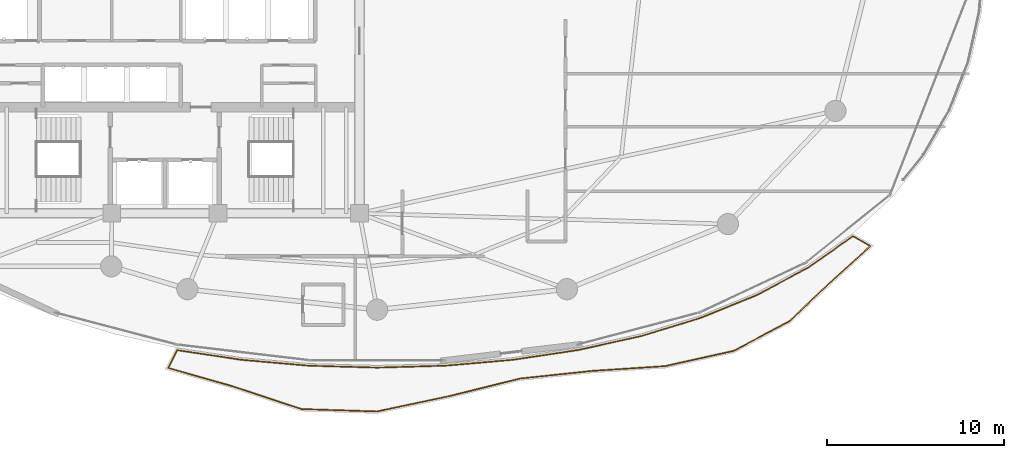
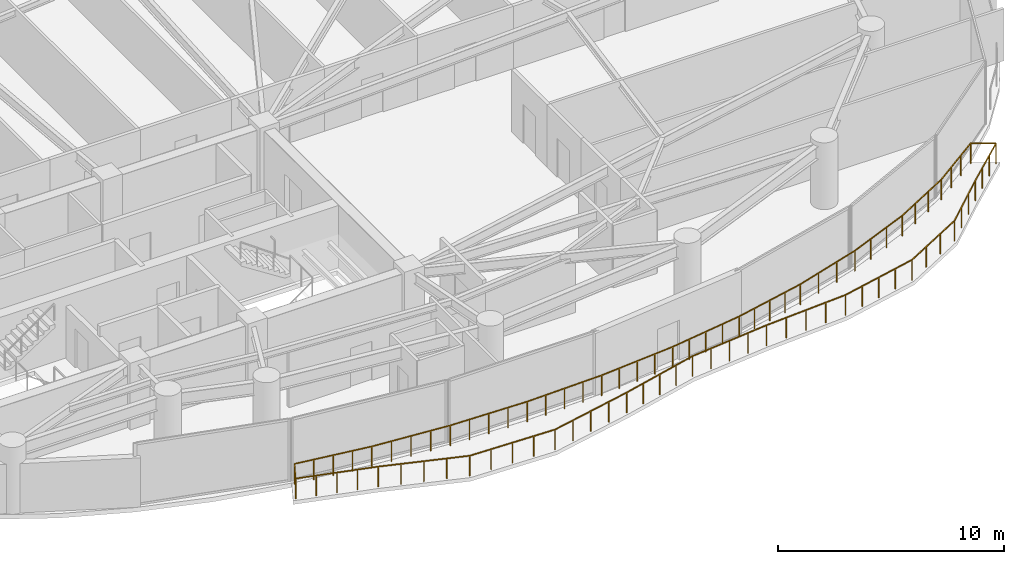
# One storey, part 32 of 34: 1 railing.
"""IFC4 building model written with IfcOpenShell, lengths in metres."""

import ifcopenshell
import ifcopenshell.guid

model = None  # the IFC model being written
_history = None  # IfcOwnerHistory: only IFC2X3 demands one
_inside = {}  # id of a spatial element -> (the spatial element, [elements in it])
_under = {}  # id of a project, library or spatial element -> (it, [spatial elements below it])
_declared = {}  # id of a project -> (the project, [libraries it declares])
_typed = {}  # id of a type object -> (the type object, [elements of that type])
_made_of = {}  # id of a material, layer set ... -> (it, [elements and type objects made of it])


def new_model(schema):
    """Start an empty IFC model of exactly this schema.

    Asked for "IFC4X3", IfcOpenShell would pick the latest addendum, in which some entities
    have other attributes; the version numbers below select the first issue.
    IFC2X3 requires an IfcOwnerHistory on every rooted entity: one is made here for all.
    """
    global model, _history
    if schema == "IFC4X3":
        model = ifcopenshell.file(schema_version=(4, 3, 0, 0))
    else:
        model = ifcopenshell.file(schema=schema)
    _inside.clear()
    _under.clear()
    _declared.clear()
    _typed.clear()
    _made_of.clear()
    _history = None
    if model.schema == "IFC2X3":
        org = make("IfcOrganization", Name="unknown")
        user = make(
            "IfcPersonAndOrganization",
            ThePerson=make("IfcPerson", FamilyName="unknown"),
            TheOrganization=org,
        )
        app = make(
            "IfcApplication",
            ApplicationDeveloper=org,
            Version="unknown",
            ApplicationFullName="unknown",
            ApplicationIdentifier="unknown",
        )
        _history = make(
            "IfcOwnerHistory",
            OwningUser=user,
            OwningApplication=app,
            ChangeAction="ADDED",
            CreationDate=0,
        )
    return model


def make(cls, **values):
    """One entity of the class cls with the attributes given. An attribute that is None is left unset."""
    return model.create_entity(
        cls, **{name: value for name, value in values.items() if value is not None}
    )


def rooted(cls, **values):
    """An entity with a GlobalId (a new one), such as an element, a storey or a relation."""
    return make(cls, GlobalId=ifcopenshell.guid.new(), OwnerHistory=_history, **values)


def si_unit(unit_type, name, prefix=None):
    """IfcSIUnit, for example si_unit("LENGTHUNIT", "METRE", prefix="MILLI")."""
    return make("IfcSIUnit", UnitType=unit_type, Prefix=prefix, Name=name)


def assignment(units):
    """IfcUnitAssignment: the units of a project."""
    return None if units is None else make("IfcUnitAssignment", Units=units)


def point(xyz):
    """IfcCartesianPoint."""
    return None if xyz is None else make("IfcCartesianPoint", Coordinates=xyz)


def direction(xyz):
    """IfcDirection."""
    return None if xyz is None else make("IfcDirection", DirectionRatios=xyz)


def frame(location, z_axis=None, x_axis=None):
    """IfcAxis2Placement3D, a coordinate frame: its origin and axes. An axis left out is left unset."""
    return make(
        "IfcAxis2Placement3D",
        Location=point(location),
        Axis=direction(z_axis),
        RefDirection=direction(x_axis),
    )


def frame_2d(location, x_axis=None):
    """IfcAxis2Placement2D, a coordinate frame in the plane: its origin and x axis."""
    return make(
        "IfcAxis2Placement2D", Location=point(location), RefDirection=direction(x_axis)
    )


def origin():
    """The frame at (0, 0, 0) with its axes left unset."""
    return frame((0.0, 0.0, 0.0))


def origin_2d():
    """The frame at (0, 0) in the plane with its x axis left unset."""
    return frame_2d((0.0, 0.0))


def place(relative_to, where):
    """IfcLocalPlacement: puts the frame where relative to a parent placement (None: the world)."""
    return make(
        "IfcLocalPlacement", PlacementRelTo=relative_to, RelativePlacement=where
    )


def context(
    kind, dimensions, precision=None, world=None, true_north=None, identifier=None
):
    """IfcGeometricRepresentationContext, for example the 3D "Model" context."""
    return make(
        "IfcGeometricRepresentationContext",
        ContextIdentifier=identifier,
        ContextType=kind,
        CoordinateSpaceDimension=dimensions,
        Precision=precision,
        WorldCoordinateSystem=world,
        TrueNorth=true_north,
    )


def subcontext(parent, identifier, kind, view, scale=None):
    """IfcGeometricRepresentationSubContext, for example "Body" below "Model"."""
    return make(
        "IfcGeometricRepresentationSubContext",
        ContextIdentifier=identifier,
        ContextType=kind,
        ParentContext=parent,
        TargetScale=scale,
        TargetView=view,
    )


def project(units=None, contexts=None):
    """IfcProject with its units and contexts."""
    return rooted(
        "IfcProject",
        Name="project",
        RepresentationContexts=contexts,
        UnitsInContext=assignment(units),
    )


def spatial(cls, under=None, at=None, **own):
    """A site, building, storey or space (cls), placed at a placement, below another one or the project."""
    s = rooted(cls, ObjectPlacement=at, **own)
    if under is not None:
        _under.setdefault(under.id(), (under, []))[1].append(s)
    return s


def profile(cls, at=None, kind="AREA", **sizes):
    """A parametric profile (cls). Its sizes go by their IFC names, for example OverallWidth=200.0."""
    return make(cls, ProfileType=kind, Position=at, **sizes)


def rectangle(**sizes):
    """IfcRectangleProfileDef."""
    return profile("IfcRectangleProfileDef", **sizes)


def extrude(swept, where, along, depth):
    """IfcExtrudedAreaSolid: the profile swept, set in the frame where, extruded along a direction by depth."""
    return make(
        "IfcExtrudedAreaSolid",
        SweptArea=swept,
        Position=where,
        ExtrudedDirection=direction(along),
        Depth=depth,
    )


def shape(context_of_items, identifier, shape_type, items):
    """IfcShapeRepresentation: the items that make up one representation, for example the "Body"."""
    return make(
        "IfcShapeRepresentation",
        ContextOfItems=context_of_items,
        RepresentationIdentifier=identifier,
        RepresentationType=shape_type,
        Items=items,
    )


def material(Name=None, Category=None):
    """IfcMaterial."""
    return make("IfcMaterial", Name=Name, Category=Category)


def made_of(thing, what):
    """Note that an element or type object is made of a material, layer set ...; save() writes the relation."""
    if what is not None:
        _made_of.setdefault(what.id(), (what, []))[1].append(thing)
    return thing


def type_object(cls, material=None, **own):
    """A type object (cls), such as IfcWallType, which elements share."""
    return made_of(rooted(cls, **own), material)


def element(
    cls,
    number,
    at=None,
    inside=None,
    cuts=None,
    type_object=None,
    material=None,
    context=None,
    identifier="Body",
    shape_type=None,
    held_by="IfcProductDefinitionShape",
    body=None,
    shapes=None,
    **own,
):
    """One element of the class cls, such as IfcWall. Its Tag is "e" and its number.

    at: its placement. inside: the storey or other place that contains it. cuts: it is an
    opening in that element (IfcRelVoidsElement). A single representation is given by context,
    identifier, shape_type and body (its items); several are given by shapes. held_by: the class
    of the entity that holds the representations. save() writes the other relations.
    """
    e = rooted(cls, Tag="e%d" % number, ObjectPlacement=at, **own)
    if body is not None:
        shapes = [shape(context, identifier, shape_type, body)]
    if shapes is not None:
        e.Representation = make(held_by, Representations=shapes)
    if inside is not None:
        _inside.setdefault(inside.id(), (inside, []))[1].append(e)
    if cuts is not None:
        rooted(
            "IfcRelVoidsElement", RelatingBuildingElement=cuts, RelatedOpeningElement=e
        )
    if type_object is not None:
        _typed.setdefault(type_object.id(), (type_object, []))[1].append(e)
    return made_of(e, material)


def aggregate(whole, parts):
    """IfcRelAggregates: a whole, such as a stair, and the parts it consists of."""
    return rooted("IfcRelAggregates", RelatingObject=whole, RelatedObjects=parts)


def save(model, path):
    """Write the relations noted so far, then the file.

    IfcRelAggregates (storeys below a building ...), IfcRelContainedInSpatialStructure (elements
    in a storey), IfcRelDefinesByType, IfcRelAssociatesMaterial and IfcRelDeclares: one each for
    every whole, place, type object, material and project.
    """
    for whole, parts in _under.values():
        aggregate(whole, parts)
    for where, things in _inside.values():
        rooted(
            "IfcRelContainedInSpatialStructure",
            RelatedElements=things,
            RelatingStructure=where,
        )
    for kind, things in _typed.values():
        rooted("IfcRelDefinesByType", RelatedObjects=things, RelatingType=kind)
    for what, things in _made_of.values():
        rooted("IfcRelAssociatesMaterial", RelatedObjects=things, RelatingMaterial=what)
    for by, libraries in _declared.values():
        rooted("IfcRelDeclares", RelatingContext=by, RelatedDefinitions=libraries)
    model.write(path)


model = new_model("IFC4")

# Units and contexts
model_context = context("Model", 3, precision=1e-05, world=origin(), true_north=direction((0.0, 1.0)))
body_context = subcontext(model_context, "Body", "Model", "MODEL_VIEW")
ifc_project = project(units=[si_unit("LENGTHUNIT", "METRE"), si_unit("AREAUNIT", "SQUARE_METRE"), si_unit("VOLUMEUNIT", "CUBIC_METRE"), si_unit("PLANEANGLEUNIT", "RADIAN"), si_unit("MASSUNIT", "GRAM", prefix="KILO")], contexts=[model_context])

# Site, building, storey
site_placement = place(None, origin())
site = spatial("IfcSite", under=ifc_project, at=site_placement, CompositionType="ELEMENT")
building_placement = place(site_placement, origin())
building = spatial("IfcBuilding", under=site, at=building_placement, Name="Kazevale Care Tower and Concert Hall", CompositionType="ELEMENT")
storey_placement = place(building_placement, frame((0.0, 0.0, 174.60009765625)))
storey = spatial("IfcBuildingStorey", under=building, at=storey_placement, Name="L46", CompositionType="ELEMENT", Elevation=174.60009765625)

# Railing
ifc_material = material(Name="Anodised Bronze Aluminium and Laminated Glass", Category="aluminium")
railing_type = type_object("IfcRailingType", Name="Balcony and Terrace Balustrade 1120", PredefinedType="BALUSTRADE", material=ifc_material)
railing_placement = place(storey_placement, frame((33.702880859375, 15.861083984375, 0.0)))
element("IfcRailing", 1, at=railing_placement, inside=storey, type_object=railing_type, Name="rail:L46:balcony", PredefinedType="BALUSTRADE", context=body_context, shape_type="SweptSolid", body=[
    extrude(rectangle(XDim=0.048095703125, YDim=0.048095703125, at=origin_2d()), frame((0.0, 0.0, 1.09619140625), z_axis=(0.988898738041, -0.148591002089, 0.0), x_axis=(0.148591002089, 0.988898738041, 0.0)), (0.0, 0.0, 1.0), 3.6689453125),
    extrude(rectangle(XDim=0.048095703125, YDim=0.048095703125, at=origin_2d()), frame((3.628173828125, -0.545166015625, 1.09619140625), z_axis=(0.996251838222, -0.086500143585, 0.0), x_axis=(0.086500143585, 0.996251838222, 0.0)), (0.0, 0.0, 1.0), 3.824462890625),
    extrude(rectangle(XDim=0.048095703125, YDim=0.048095703125, at=origin_2d()), frame((7.438232421875, -0.8759765625, 1.09619140625), z_axis=(0.999593168995, -0.028521860004, 0.0), x_axis=(0.028521860004, 0.999593168995, 0.0)), (0.0, 0.0, 1.0), 3.8603515625),
    extrude(rectangle(XDim=0.048095703125, YDim=0.048095703125, at=origin_2d()), frame((11.297119140625, -0.986083984375, 1.09619140625), z_axis=(0.999593168995, 0.028521860004, 0.0), x_axis=(-0.028521860004, 0.999593168995, 0.0)), (0.0, 0.0, 1.0), 3.8603515625),
    extrude(rectangle(XDim=0.048095703125, YDim=0.048095703125, at=origin_2d()), frame((15.156005859375, -0.8759765625, 1.09619140625), z_axis=(0.996251838222, 0.086500143585, 0.0), x_axis=(-0.086500143585, 0.996251838222, 0.0)), (0.0, 0.0, 1.0), 3.824462890625),
    extrude(rectangle(XDim=0.048095703125, YDim=0.048095703125, at=origin_2d()), frame((18.966064453125, -0.545166015625, 1.09619140625), z_axis=(0.988903437953, 0.148559719995, 0.0), x_axis=(-0.148559719995, 0.988903437953, 0.0)), (0.0, 0.0, 1.0), 3.7568359375),
    extrude(rectangle(XDim=0.048095703125, YDim=0.048095703125, at=origin_2d()), frame((22.68115234375, 0.012939453125, 1.09619140625), z_axis=(0.9762591871, 0.216605631512, 0.0), x_axis=(-0.216605631512, 0.9762591871, 0.0)), (0.0, 0.0, 1.0), 3.660888671875),
    extrude(rectangle(XDim=0.048095703125, YDim=0.048095703125, at=origin_2d()), frame((26.255126953125, 0.805908203125, 1.09619140625), z_axis=(0.956153868694, 0.292864780028, 0.0), x_axis=(-0.292864780028, 0.956153868694, 0.0)), (0.0, 0.0, 1.0), 3.541259765625),
    extrude(rectangle(XDim=0.048095703125, YDim=0.048095703125, at=origin_2d()), frame((29.64111328125, 1.843017578125, 1.09619140625), z_axis=(0.925821569017, 0.377960874089, 0.0), x_axis=(-0.377960874089, 0.925821569017, 0.0)), (0.0, 0.0, 1.0), 3.409912109375),
    extrude(rectangle(XDim=0.048095703125, YDim=0.048095703125, at=origin_2d()), frame((32.798095703125, 3.1318359375, 1.09619140625), z_axis=(0.881173131857, 0.472793730598, 0.0), x_axis=(-0.472793730598, 0.881173131857, 0.0)), (0.0, 0.0, 1.0), 3.278564453125),
    extrude(rectangle(XDim=0.048095703125, YDim=0.048095703125, at=origin_2d()), frame((35.68701171875, 4.681884765625, 1.09619140625), z_axis=(0.818641866863, 0.574304356435, 0.0), x_axis=(-0.574304356435, 0.818641866863, 0.0)), (0.0, 0.0, 1.0), 3.073486328125),
    extrude(rectangle(XDim=0.048095703125, YDim=0.048095703125, at=origin_2d()), frame((38.203125, 6.447021484375, 1.09619140625), z_axis=(0.865689187785, -0.500581891555, 0.0), x_axis=(0.500581891555, 0.865689187785, 0.0)), (0.0, 0.0, 1.0), 1.122802734375),
    extrude(rectangle(XDim=0.048095703125, YDim=0.048095703125, at=origin_2d()), frame((39.175048828125, 5.885009765625, 1.09619140625), z_axis=(-0.740411087752, -0.672154313483, 0.0), x_axis=(0.672154313483, -0.740411087752, 0.0)), (0.0, 0.0, 1.0), 3.0009765625),
    extrude(rectangle(XDim=0.048095703125, YDim=0.048095703125, at=origin_2d()), frame((36.953125, 3.867919921875, 1.09619140625), z_axis=(-0.7258336775, -0.687870244019, 0.0), x_axis=(0.687870244019, -0.7258336775, 0.0)), (0.0, 0.0, 1.0), 3.23486328125),
    extrude(rectangle(XDim=0.048095703125, YDim=0.048095703125, at=origin_2d()), frame((34.605224609375, 1.642822265625, 1.09619140625), z_axis=(-0.882223714179, -0.470830455832, 0.0), x_axis=(0.470830455832, -0.882223714179, 0.0)), (0.0, 0.0, 1.0), 3.55712890625),
    extrude(rectangle(XDim=0.048095703125, YDim=0.048095703125, at=origin_2d()), frame((31.467041015625, -0.031982421875, 1.09619140625), z_axis=(-0.975895137358, -0.218239961696, 0.0), x_axis=(0.218239961696, -0.975895137358, 0.0)), (0.0, 0.0, 1.0), 3.987060546875),
    extrude(rectangle(XDim=0.048095703125, YDim=0.048095703125, at=origin_2d()), frame((27.576171875, -0.902099609375, 1.09619140625), z_axis=(-0.997852588348, -0.065499709367, 0.0), x_axis=(0.065499709367, -0.997852588348, 0.0)), (0.0, 0.0, 1.0), 4.197021484375),
    extrude(rectangle(XDim=0.048095703125, YDim=0.048095703125, at=origin_2d()), frame((23.38818359375, -1.177001953125, 1.09619140625), z_axis=(-0.994395270222, -0.105726281314, 0.0), x_axis=(0.105726281314, -0.994395270222, 0.0)), (0.0, 0.0, 1.0), 4.038818359375),
    extrude(rectangle(XDim=0.048095703125, YDim=0.048095703125, at=origin_2d()), frame((19.3720703125, -1.60400390625, 1.09619140625), z_axis=(-0.9704684767, -0.241227974604, 0.0), x_axis=(0.241227974604, -0.9704684767, 0.0)), (0.0, 0.0, 1.0), 4.042236328125),
    extrude(rectangle(XDim=0.048095703125, YDim=0.048095703125, at=origin_2d()), frame((15.44921875, -2.5791015625, 1.09619140625), z_axis=(-0.978141936564, -0.207938336855, 0.0), x_axis=(0.207938336855, -0.978141936564, 0.0)), (0.0, 0.0, 1.0), 4.256103515625),
    extrude(rectangle(XDim=0.048095703125, YDim=0.048095703125, at=origin_2d()), frame((11.2861328125, -3.464111328125, 1.09619140625), z_axis=(-0.999493971136, 0.031808829958, 0.0), x_axis=(-0.031808829958, -0.999493971136, 0.0)), (0.0, 0.0, 1.0), 4.275146484375),
    extrude(rectangle(XDim=0.048095703125, YDim=0.048095703125, at=origin_2d()), frame((7.01318359375, -3.328125, 1.09619140625), z_axis=(-0.94930811922, 0.31434709285, 0.0), x_axis=(-0.31434709285, -0.94930811922, 0.0)), (0.0, 0.0, 1.0), 4.12939453125),
    extrude(rectangle(XDim=0.048095703125, YDim=0.048095703125, at=origin_2d()), frame((3.093017578125, -2.030029296875, 1.09619140625), z_axis=(-0.961861887805, 0.273535571339, 0.0), x_axis=(-0.273535571339, -0.961861887805, 0.0)), (0.0, 0.0, 1.0), 3.75390625),
    extrude(rectangle(XDim=0.048095703125, YDim=0.048095703125, at=origin_2d()), frame((-0.517822265625, -1.003173828125, 1.09619140625), z_axis=(0.458681479575, 0.888600754161, 0.0), x_axis=(-0.888600754161, 0.458681479575, 0.0)), (0.0, 0.0, 1.0), 1.12890625),
    extrude(rectangle(XDim=0.0419921875, YDim=0.0419921875, at=origin_2d()), origin(), (0.0, 0.0, 1.0), 1.072021484375),
    extrude(rectangle(XDim=0.0419921875, YDim=0.0419921875, at=origin_2d()), frame((0.906982421875, -0.13623046875, 0.0)), (0.0, 0.0, 1.0), 1.072021484375),
    extrude(rectangle(XDim=0.0419921875, YDim=0.0419921875, at=origin_2d()), frame((1.81396484375, -0.2724609375, 0.0)), (0.0, 0.0, 1.0), 1.072021484375),
    extrude(rectangle(XDim=0.0419921875, YDim=0.0419921875, at=origin_2d()), frame((2.72119140625, -0.408935546875, 0.0)), (0.0, 0.0, 1.0), 1.072021484375),
    extrude(rectangle(XDim=0.0419921875, YDim=0.0419921875, at=origin_2d()), frame((3.628173828125, -0.545166015625, 0.0)), (0.0, 0.0, 1.0), 1.072021484375),
    extrude(rectangle(XDim=0.0419921875, YDim=0.0419921875, at=origin_2d()), frame((4.58056640625, -0.6279296875, 0.0)), (0.0, 0.0, 1.0), 1.072021484375),
    extrude(rectangle(XDim=0.0419921875, YDim=0.0419921875, at=origin_2d()), frame((5.533203125, -0.71044921875, 0.0)), (0.0, 0.0, 1.0), 1.072021484375),
    extrude(rectangle(XDim=0.0419921875, YDim=0.0419921875, at=origin_2d()), frame((6.48583984375, -0.793212890625, 0.0)), (0.0, 0.0, 1.0), 1.072021484375),
    extrude(rectangle(XDim=0.0419921875, YDim=0.0419921875, at=origin_2d()), frame((7.438232421875, -0.8759765625, 0.0)), (0.0, 0.0, 1.0), 1.072021484375),
    extrude(rectangle(XDim=0.0419921875, YDim=0.0419921875, at=origin_2d()), frame((8.40283203125, -0.903564453125, 0.0)), (0.0, 0.0, 1.0), 1.072021484375),
    extrude(rectangle(XDim=0.0419921875, YDim=0.0419921875, at=origin_2d()), frame((9.36767578125, -0.93115234375, 0.0)), (0.0, 0.0, 1.0), 1.072021484375),
    extrude(rectangle(XDim=0.0419921875, YDim=0.0419921875, at=origin_2d()), frame((10.33251953125, -0.95849609375, 0.0)), (0.0, 0.0, 1.0), 1.072021484375),
    extrude(rectangle(XDim=0.0419921875, YDim=0.0419921875, at=origin_2d()), frame((11.297119140625, -0.986083984375, 0.0)), (0.0, 0.0, 1.0), 1.072021484375),
    extrude(rectangle(XDim=0.0419921875, YDim=0.0419921875, at=origin_2d()), frame((12.26171875, -0.95849609375, 0.0)), (0.0, 0.0, 1.0), 1.072021484375),
    extrude(rectangle(XDim=0.0419921875, YDim=0.0419921875, at=origin_2d()), frame((13.2265625, -0.93115234375, 0.0)), (0.0, 0.0, 1.0), 1.072021484375),
    extrude(rectangle(XDim=0.0419921875, YDim=0.0419921875, at=origin_2d()), frame((14.19140625, -0.903564453125, 0.0)), (0.0, 0.0, 1.0), 1.072021484375),
    extrude(rectangle(XDim=0.0419921875, YDim=0.0419921875, at=origin_2d()), frame((15.156005859375, -0.8759765625, 0.0)), (0.0, 0.0, 1.0), 1.072021484375),
    extrude(rectangle(XDim=0.0419921875, YDim=0.0419921875, at=origin_2d()), frame((16.1083984375, -0.793212890625, 0.0)), (0.0, 0.0, 1.0), 1.072021484375),
    extrude(rectangle(XDim=0.0419921875, YDim=0.0419921875, at=origin_2d()), frame((17.06103515625, -0.71044921875, 0.0)), (0.0, 0.0, 1.0), 1.072021484375),
    extrude(rectangle(XDim=0.0419921875, YDim=0.0419921875, at=origin_2d()), frame((18.013671875, -0.6279296875, 0.0)), (0.0, 0.0, 1.0), 1.072021484375),
    extrude(rectangle(XDim=0.0419921875, YDim=0.0419921875, at=origin_2d()), frame((18.966064453125, -0.545166015625, 0.0)), (0.0, 0.0, 1.0), 1.072021484375),
    extrude(rectangle(XDim=0.0419921875, YDim=0.0419921875, at=origin_2d()), frame((19.894775390625, -0.40576171875, 0.0)), (0.0, 0.0, 1.0), 1.072021484375),
    extrude(rectangle(XDim=0.0419921875, YDim=0.0419921875, at=origin_2d()), frame((20.82373046875, -0.26611328125, 0.0)), (0.0, 0.0, 1.0), 1.072021484375),
    extrude(rectangle(XDim=0.0419921875, YDim=0.0419921875, at=origin_2d()), frame((21.75244140625, -0.12646484375, 0.0)), (0.0, 0.0, 1.0), 1.072021484375),
    extrude(rectangle(XDim=0.0419921875, YDim=0.0419921875, at=origin_2d()), frame((22.68115234375, 0.012939453125, 0.0)), (0.0, 0.0, 1.0), 1.072021484375),
    extrude(rectangle(XDim=0.0419921875, YDim=0.0419921875, at=origin_2d()), frame((23.57470703125, 0.211181640625, 0.0)), (0.0, 0.0, 1.0), 1.072021484375),
    extrude(rectangle(XDim=0.0419921875, YDim=0.0419921875, at=origin_2d()), frame((24.46826171875, 0.409423828125, 0.0)), (0.0, 0.0, 1.0), 1.072021484375),
    extrude(rectangle(XDim=0.0419921875, YDim=0.0419921875, at=origin_2d()), frame((25.361572265625, 0.607666015625, 0.0)), (0.0, 0.0, 1.0), 1.072021484375),
    extrude(rectangle(XDim=0.0419921875, YDim=0.0419921875, at=origin_2d()), frame((26.255126953125, 0.805908203125, 0.0)), (0.0, 0.0, 1.0), 1.072021484375),
    extrude(rectangle(XDim=0.0419921875, YDim=0.0419921875, at=origin_2d()), frame((27.3837890625, 1.151611328125, 0.0)), (0.0, 0.0, 1.0), 1.072021484375),
    extrude(rectangle(XDim=0.0419921875, YDim=0.0419921875, at=origin_2d()), frame((28.512451171875, 1.497314453125, 0.0)), (0.0, 0.0, 1.0), 1.072021484375),
    extrude(rectangle(XDim=0.0419921875, YDim=0.0419921875, at=origin_2d()), frame((29.64111328125, 1.843017578125, 0.0)), (0.0, 0.0, 1.0), 1.072021484375),
    extrude(rectangle(XDim=0.0419921875, YDim=0.0419921875, at=origin_2d()), frame((30.693359375, 2.272705078125, 0.0)), (0.0, 0.0, 1.0), 1.072021484375),
    extrude(rectangle(XDim=0.0419921875, YDim=0.0419921875, at=origin_2d()), frame((31.745849609375, 2.7021484375, 0.0)), (0.0, 0.0, 1.0), 1.072021484375),
    extrude(rectangle(XDim=0.0419921875, YDim=0.0419921875, at=origin_2d()), frame((32.798095703125, 3.1318359375, 0.0)), (0.0, 0.0, 1.0), 1.072021484375),
    extrude(rectangle(XDim=0.0419921875, YDim=0.0419921875, at=origin_2d()), frame((33.760986328125, 3.6484375, 0.0)), (0.0, 0.0, 1.0), 1.072021484375),
    extrude(rectangle(XDim=0.0419921875, YDim=0.0419921875, at=origin_2d()), frame((34.72412109375, 4.165283203125, 0.0)), (0.0, 0.0, 1.0), 1.072021484375),
    extrude(rectangle(XDim=0.0419921875, YDim=0.0419921875, at=origin_2d()), frame((35.68701171875, 4.681884765625, 0.0)), (0.0, 0.0, 1.0), 1.072021484375),
    extrude(rectangle(XDim=0.0419921875, YDim=0.0419921875, at=origin_2d()), frame((36.525634765625, 5.270263671875, 0.0)), (0.0, 0.0, 1.0), 1.072021484375),
    extrude(rectangle(XDim=0.0419921875, YDim=0.0419921875, at=origin_2d()), frame((37.364501953125, 5.858642578125, 0.0)), (0.0, 0.0, 1.0), 1.072021484375),
    extrude(rectangle(XDim=0.0419921875, YDim=0.0419921875, at=origin_2d()), frame((38.203125, 6.447021484375, 0.0)), (0.0, 0.0, 1.0), 1.072021484375),
    extrude(rectangle(XDim=0.0419921875, YDim=0.0419921875, at=origin_2d()), frame((39.175048828125, 5.885009765625, 0.0)), (0.0, 0.0, 1.0), 1.072021484375),
    extrude(rectangle(XDim=0.0419921875, YDim=0.0419921875, at=origin_2d()), frame((38.434326171875, 5.212646484375, 0.0)), (0.0, 0.0, 1.0), 1.072021484375),
    extrude(rectangle(XDim=0.0419921875, YDim=0.0419921875, at=origin_2d()), frame((37.69384765625, 4.540283203125, 0.0)), (0.0, 0.0, 1.0), 1.072021484375),
    extrude(rectangle(XDim=0.0419921875, YDim=0.0419921875, at=origin_2d()), frame((36.953125, 3.867919921875, 0.0)), (0.0, 0.0, 1.0), 1.072021484375),
    extrude(rectangle(XDim=0.0419921875, YDim=0.0419921875, at=origin_2d()), frame((36.17041015625, 3.126220703125, 0.0)), (0.0, 0.0, 1.0), 1.072021484375),
    extrude(rectangle(XDim=0.0419921875, YDim=0.0419921875, at=origin_2d()), frame((35.387939453125, 2.384521484375, 0.0)), (0.0, 0.0, 1.0), 1.072021484375),
    extrude(rectangle(XDim=0.0419921875, YDim=0.0419921875, at=origin_2d()), frame((34.605224609375, 1.642822265625, 0.0)), (0.0, 0.0, 1.0), 1.072021484375),
    extrude(rectangle(XDim=0.0419921875, YDim=0.0419921875, at=origin_2d()), frame((33.55908203125, 1.08447265625, 0.0)), (0.0, 0.0, 1.0), 1.072021484375),
    extrude(rectangle(XDim=0.0419921875, YDim=0.0419921875, at=origin_2d()), frame((32.51318359375, 0.5263671875, 0.0)), (0.0, 0.0, 1.0), 1.072021484375),
    extrude(rectangle(XDim=0.0419921875, YDim=0.0419921875, at=origin_2d()), frame((31.467041015625, -0.031982421875, 0.0)), (0.0, 0.0, 1.0), 1.072021484375),
    extrude(rectangle(XDim=0.0419921875, YDim=0.0419921875, at=origin_2d()), frame((30.494384765625, -0.24951171875, 0.0)), (0.0, 0.0, 1.0), 1.072021484375),
    extrude(rectangle(XDim=0.0419921875, YDim=0.0419921875, at=origin_2d()), frame((29.521484375, -0.467041015625, 0.0)), (0.0, 0.0, 1.0), 1.072021484375),
    extrude(rectangle(XDim=0.0419921875, YDim=0.0419921875, at=origin_2d()), frame((28.548828125, -0.6845703125, 0.0)), (0.0, 0.0, 1.0), 1.072021484375),
    extrude(rectangle(XDim=0.0419921875, YDim=0.0419921875, at=origin_2d()), frame((27.576171875, -0.902099609375, 0.0)), (0.0, 0.0, 1.0), 1.072021484375),
    extrude(rectangle(XDim=0.0419921875, YDim=0.0419921875, at=origin_2d()), frame((26.529296875, -0.970703125, 0.0)), (0.0, 0.0, 1.0), 1.072021484375),
    extrude(rectangle(XDim=0.0419921875, YDim=0.0419921875, at=origin_2d()), frame((25.482177734375, -1.03955078125, 0.0)), (0.0, 0.0, 1.0), 1.072021484375),
    extrude(rectangle(XDim=0.0419921875, YDim=0.0419921875, at=origin_2d()), frame((24.43505859375, -1.1083984375, 0.0)), (0.0, 0.0, 1.0), 1.072021484375),
    extrude(rectangle(XDim=0.0419921875, YDim=0.0419921875, at=origin_2d()), frame((23.38818359375, -1.177001953125, 0.0)), (0.0, 0.0, 1.0), 1.072021484375),
    extrude(rectangle(XDim=0.0419921875, YDim=0.0419921875, at=origin_2d()), frame((22.38427734375, -1.28369140625, 0.0)), (0.0, 0.0, 1.0), 1.072021484375),
    extrude(rectangle(XDim=0.0419921875, YDim=0.0419921875, at=origin_2d()), frame((21.380126953125, -1.390625, 0.0)), (0.0, 0.0, 1.0), 1.072021484375),
    extrude(rectangle(XDim=0.0419921875, YDim=0.0419921875, at=origin_2d()), frame((20.3759765625, -1.497314453125, 0.0)), (0.0, 0.0, 1.0), 1.072021484375),
    extrude(rectangle(XDim=0.0419921875, YDim=0.0419921875, at=origin_2d()), frame((19.3720703125, -1.60400390625, 0.0)), (0.0, 0.0, 1.0), 1.072021484375),
    extrude(rectangle(XDim=0.0419921875, YDim=0.0419921875, at=origin_2d()), frame((18.391357421875, -1.84765625, 0.0)), (0.0, 0.0, 1.0), 1.072021484375),
    extrude(rectangle(XDim=0.0419921875, YDim=0.0419921875, at=origin_2d()), frame((17.41064453125, -2.091552734375, 0.0)), (0.0, 0.0, 1.0), 1.072021484375),
    extrude(rectangle(XDim=0.0419921875, YDim=0.0419921875, at=origin_2d()), frame((16.429931640625, -2.33544921875, 0.0)), (0.0, 0.0, 1.0), 1.072021484375),
    extrude(rectangle(XDim=0.0419921875, YDim=0.0419921875, at=origin_2d()), frame((15.44921875, -2.5791015625, 0.0)), (0.0, 0.0, 1.0), 1.072021484375),
    extrude(rectangle(XDim=0.0419921875, YDim=0.0419921875, at=origin_2d()), frame((14.408447265625, -2.80029296875, 0.0)), (0.0, 0.0, 1.0), 1.072021484375),
    extrude(rectangle(XDim=0.0419921875, YDim=0.0419921875, at=origin_2d()), frame((13.36767578125, -3.021484375, 0.0)), (0.0, 0.0, 1.0), 1.072021484375),
    extrude(rectangle(XDim=0.0419921875, YDim=0.0419921875, at=origin_2d()), frame((12.326904296875, -3.242919921875, 0.0)), (0.0, 0.0, 1.0), 1.072021484375),
    extrude(rectangle(XDim=0.0419921875, YDim=0.0419921875, at=origin_2d()), frame((11.2861328125, -3.464111328125, 0.0)), (0.0, 0.0, 1.0), 1.072021484375),
    extrude(rectangle(XDim=0.0419921875, YDim=0.0419921875, at=origin_2d()), frame((10.2177734375, -3.43017578125, 0.0)), (0.0, 0.0, 1.0), 1.072021484375),
    extrude(rectangle(XDim=0.0419921875, YDim=0.0419921875, at=origin_2d()), frame((9.149658203125, -3.39599609375, 0.0)), (0.0, 0.0, 1.0), 1.072021484375),
    extrude(rectangle(XDim=0.0419921875, YDim=0.0419921875, at=origin_2d()), frame((8.08154296875, -3.362060546875, 0.0)), (0.0, 0.0, 1.0), 1.072021484375),
    extrude(rectangle(XDim=0.0419921875, YDim=0.0419921875, at=origin_2d()), frame((7.01318359375, -3.328125, 0.0)), (0.0, 0.0, 1.0), 1.072021484375),
    extrude(rectangle(XDim=0.0419921875, YDim=0.0419921875, at=origin_2d()), frame((6.033203125, -3.003662109375, 0.0)), (0.0, 0.0, 1.0), 1.072021484375),
    extrude(rectangle(XDim=0.0419921875, YDim=0.0419921875, at=origin_2d()), frame((5.05322265625, -2.67919921875, 0.0)), (0.0, 0.0, 1.0), 1.072021484375),
    extrude(rectangle(XDim=0.0419921875, YDim=0.0419921875, at=origin_2d()), frame((4.072998046875, -2.3544921875, 0.0)), (0.0, 0.0, 1.0), 1.072021484375),
    extrude(rectangle(XDim=0.0419921875, YDim=0.0419921875, at=origin_2d()), frame((3.093017578125, -2.030029296875, 0.0)), (0.0, 0.0, 1.0), 1.072021484375),
    extrude(rectangle(XDim=0.0419921875, YDim=0.0419921875, at=origin_2d()), frame((2.1904296875, -1.7734375, 0.0)), (0.0, 0.0, 1.0), 1.072021484375),
    extrude(rectangle(XDim=0.0419921875, YDim=0.0419921875, at=origin_2d()), frame((1.28759765625, -1.5166015625, 0.0)), (0.0, 0.0, 1.0), 1.072021484375),
    extrude(rectangle(XDim=0.0419921875, YDim=0.0419921875, at=origin_2d()), frame((0.384765625, -1.259765625, 0.0)), (0.0, 0.0, 1.0), 1.072021484375),
    extrude(rectangle(XDim=0.0419921875, YDim=0.0419921875, at=origin_2d()), frame((-0.517822265625, -1.003173828125, 0.0)), (0.0, 0.0, 1.0), 1.072021484375),
])

save(model, "model.ifc")
